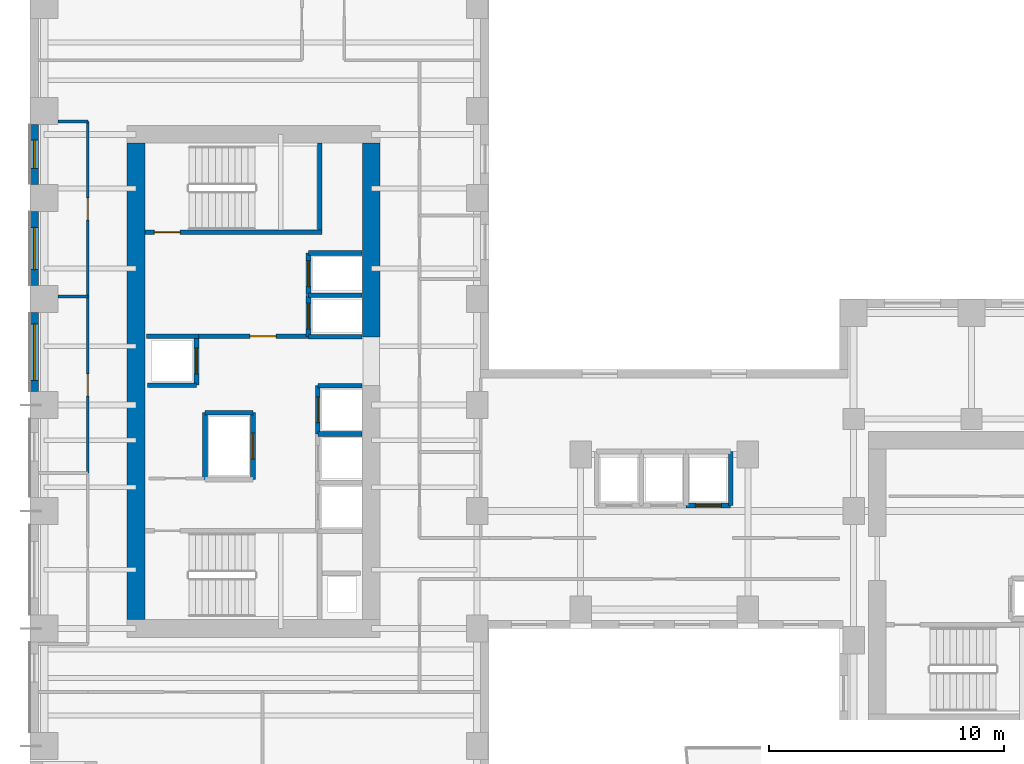
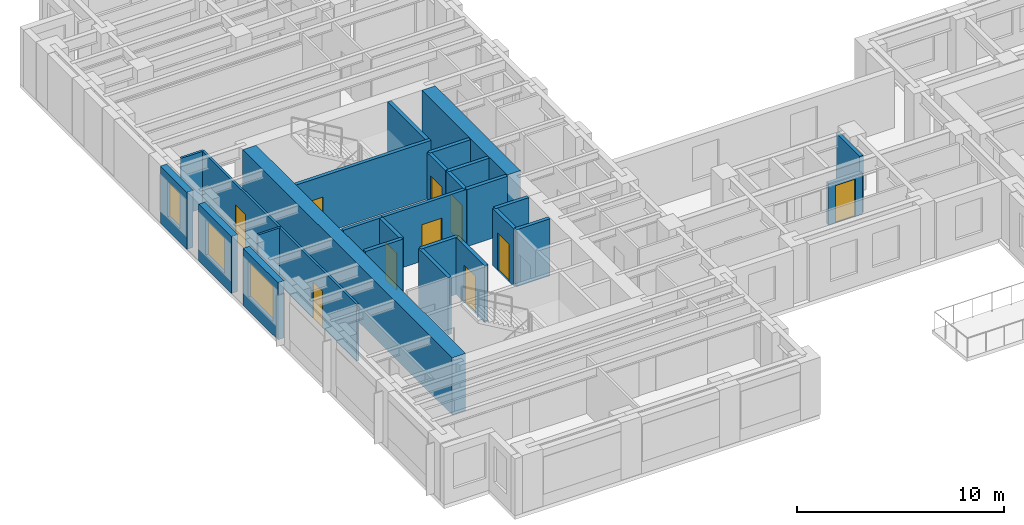
# One storey, part 5 of 12: 28 walls, 10 doors, 3 windows, 13 openings.
"""IFC4 building model written with IfcOpenShell, lengths in metres."""

from ifc_helpers import new_model, si_unit, direction, frame, frame_2d, origin, place, context, subcontext, project, spatial, rectangle, extrude, source, transform, mapped, material, layer, layer_set, type_object, element, fill, save


model = new_model("IFC4")

# Units and contexts
model_context = context("Model", 3, precision=1e-05, world=origin(), true_north=direction((0.0, 1.0)))
body_context = subcontext(model_context, "Body", "Model", "MODEL_VIEW")
ifc_project = project(units=[si_unit("LENGTHUNIT", "METRE"), si_unit("AREAUNIT", "SQUARE_METRE"), si_unit("VOLUMEUNIT", "CUBIC_METRE"), si_unit("PLANEANGLEUNIT", "RADIAN"), si_unit("MASSUNIT", "GRAM", prefix="KILO")], contexts=[model_context])

# Site, building, storey
site_placement = place(None, origin())
site = spatial("IfcSite", under=ifc_project, at=site_placement, CompositionType="ELEMENT")
building_placement = place(site_placement, origin())
building = spatial("IfcBuilding", under=site, at=building_placement, Name="Kharzan Plaza Tower", CompositionType="ELEMENT")
storey_placement = place(building_placement, frame((0.0, 0.0, 91.800048828125)))
storey = spatial("IfcBuildingStorey", under=building, at=storey_placement, Name="L24", CompositionType="ELEMENT", Elevation=91.800048828125)

# Wall, opening, window
ifc_material_1 = material(Name="Concrete C40/50", Category="concrete")
ifc_layer_1 = layer(ifc_material_1, 0.35009765625)
ifc_layer_set_1 = layer_set([ifc_layer_1], Name="Concrete C40/50")
wall_type_1 = type_object("IfcWallType", Name="WL-EXT-MAS-Z2", PredefinedType="SOLIDWALL", material=ifc_layer_set_1)
wall_1_placement = place(storey_placement, frame((0.175048828125, 29.927001953125, 0.0), z_axis=(0.0, 0.0, 1.0), x_axis=(0.0, -1.0, 0.0)))
wall_1 = element("IfcWall", 1, at=wall_1_placement, inside=storey, type_object=wall_type_1, Name="L24 Masonry-Frame Exterior Wall 20", PredefinedType="SOLIDWALL", context=body_context, shape_type="SweptSolid", body=[
    extrude(rectangle(XDim=2.553955078125, YDim=0.35009765625, at=frame_2d((1.27685546875, 0.0))), origin(), (0.0, 0.0, 1.0), 3.364990234375),
])
opening_1_placement = place(wall_1_placement, frame((0.677001953125, 0.0, 0.780029296875)))
opening_1 = element("IfcOpeningElement", 2, at=opening_1_placement, cuts=wall_1, Name="Opening W3", PredefinedType="OPENING", context=body_context, shape_type="SweptSolid", body=[
    extrude(rectangle(XDim=1.199951171875, YDim=2.10009765625, at=frame_2d((0.60009765625, 1.050048828125))), frame((0.0, 0.18505859375, 0.0), z_axis=(0.0, -1.0, 0.0), x_axis=(1.0, 0.0, 0.0)), (0.0, 0.0, 1.0), 0.3701171875),
])
ifc_material_2 = material(Name="Low-E Double Glazing", Category="glass")
window_type_1 = type_object("IfcWindowType", Name="WN-REC-1200x2100", PartitioningType="SINGLE_PANEL", PredefinedType="WINDOW", material=ifc_material_2)
shared_shape_1 = source(origin(), body_context, "Body", "SweptSolid", [
    extrude(rectangle(XDim=1.199951171875, YDim=2.10009765625, at=frame_2d((0.60009765625, 1.050048828125))), frame((0.0, 0.030029296875, 0.0), z_axis=(0.0, -1.0, 0.0), x_axis=(1.0, 0.0, 0.0)), (0.0, 0.0, 1.0), 0.06005859375),
])
window_1_placement = place(opening_1_placement, origin())
window_1 = element("IfcWindow", 3, at=window_1_placement, inside=storey, type_object=window_type_1, Name="L24 Recessed Solar-Control Window 20-1", OverallHeight=2.10009765625, OverallWidth=1.199951171875, PartitioningType="SINGLE_PANEL", PredefinedType="WINDOW", context=body_context, shape_type="MappedRepresentation", body=[
    mapped(shared_shape_1, transform((0.0, 0.0, 0.0), x_axis=(1.0, 0.0, 0.0), y_axis=(0.0, 1.0, 0.0), z_axis=(0.0, 0.0, 1.0))),
])
fill(opening_1, window_1)

wall_2_placement = place(storey_placement, frame((0.175048828125, 26.22705078125, 0.0), z_axis=(0.0, 0.0, 1.0), x_axis=(0.0, -1.0, 0.0)))
wall_2 = element("IfcWall", 4, at=wall_2_placement, inside=storey, type_object=wall_type_1, Name="L24 Masonry-Frame Exterior Wall 21", PredefinedType="SOLIDWALL", context=body_context, shape_type="SweptSolid", body=[
    extrude(rectangle(XDim=3.154052734375, YDim=0.35009765625, at=frame_2d((1.5771484375, 0.0))), origin(), (0.0, 0.0, 1.0), 3.364990234375),
])
opening_2_placement = place(wall_2_placement, frame((0.677001953125, 0.0, 0.780029296875)))
opening_2 = element("IfcOpeningElement", 5, at=opening_2_placement, cuts=wall_2, Name="Opening W1", PredefinedType="OPENING", context=body_context, shape_type="SweptSolid", body=[
    extrude(rectangle(XDim=1.800048828125, YDim=2.10009765625, at=frame_2d((0.89990234375, 1.050048828125))), frame((0.0, 0.18505859375, 0.0), z_axis=(0.0, -1.0, 0.0), x_axis=(1.0, 0.0, 0.0)), (0.0, 0.0, 1.0), 0.3701171875),
])
window_type_2 = type_object("IfcWindowType", Name="WN-REC-1800x2100", PartitioningType="SINGLE_PANEL", PredefinedType="WINDOW", material=ifc_material_2)
shared_shape_2 = source(origin(), body_context, "Body", "SweptSolid", [
    extrude(rectangle(XDim=1.800048828125, YDim=2.10009765625, at=frame_2d((0.89990234375, 1.050048828125))), frame((0.0, 0.030029296875, 0.0), z_axis=(0.0, -1.0, 0.0), x_axis=(1.0, 0.0, 0.0)), (0.0, 0.0, 1.0), 0.06005859375),
])
window_2_placement = place(opening_2_placement, origin())
window_2 = element("IfcWindow", 6, at=window_2_placement, inside=storey, type_object=window_type_2, Name="L24 Recessed Solar-Control Window 21-1", OverallHeight=2.10009765625, OverallWidth=1.800048828125, PartitioningType="SINGLE_PANEL", PredefinedType="WINDOW", context=body_context, shape_type="MappedRepresentation", body=[
    mapped(shared_shape_2, transform((0.0, 0.0, 0.0), x_axis=(1.0, 0.0, 0.0), y_axis=(0.0, 1.0, 0.0), z_axis=(0.0, 0.0, 1.0))),
])
fill(opening_2, window_2)

wall_3_placement = place(storey_placement, frame((0.175048828125, 21.927001953125, 0.0), z_axis=(0.0, 0.0, 1.0), x_axis=(0.0, -1.0, 0.0)))
wall_3 = element("IfcWall", 7, at=wall_3_placement, inside=storey, type_object=wall_type_1, Name="L24 Masonry-Frame Exterior Wall 22", PredefinedType="SOLIDWALL", context=body_context, shape_type="SweptSolid", body=[
    extrude(rectangle(XDim=3.35400390625, YDim=0.35009765625, at=frame_2d((1.677001953125, 0.0))), origin(), (0.0, 0.0, 1.0), 3.364990234375),
])
opening_3_placement = place(wall_3_placement, frame((0.47705078125, 0.0, 0.780029296875)))
opening_3 = element("IfcOpeningElement", 8, at=opening_3_placement, cuts=wall_3, Name="Opening W2", PredefinedType="OPENING", context=body_context, shape_type="SweptSolid", body=[
    extrude(rectangle(XDim=2.39990234375, YDim=2.10009765625, at=frame_2d((1.199951171875, 1.050048828125))), frame((0.0, 0.18505859375, 0.0), z_axis=(0.0, -1.0, 0.0), x_axis=(1.0, 0.0, 0.0)), (0.0, 0.0, 1.0), 0.3701171875),
])
window_type_3 = type_object("IfcWindowType", Name="WN-REC-2400x2100", PartitioningType="SINGLE_PANEL", PredefinedType="WINDOW", material=ifc_material_2)
shared_shape_3 = source(origin(), body_context, "Body", "SweptSolid", [
    extrude(rectangle(XDim=2.39990234375, YDim=2.10009765625, at=frame_2d((1.199951171875, 1.050048828125))), frame((0.0, 0.030029296875, 0.0), z_axis=(0.0, -1.0, 0.0), x_axis=(1.0, 0.0, 0.0)), (0.0, 0.0, 1.0), 0.06005859375),
])
window_3_placement = place(opening_3_placement, origin())
window_3 = element("IfcWindow", 9, at=window_3_placement, inside=storey, type_object=window_type_3, Name="L24 Wide Recessed Solar-Control Window 22-1", OverallHeight=2.10009765625, OverallWidth=2.39990234375, PartitioningType="SINGLE_PANEL", PredefinedType="WINDOW", context=body_context, shape_type="MappedRepresentation", body=[
    mapped(shared_shape_3, transform((0.0, 0.0, 0.0), x_axis=(1.0, 0.0, 0.0), y_axis=(0.0, 1.0, 0.0), z_axis=(0.0, 0.0, 1.0))),
])
fill(opening_3, window_3)

# Wall, opening, door
ifc_layer_2 = layer(ifc_material_1, 0.179931640625)
ifc_layer_set_2 = layer_set([ifc_layer_2], Name="Concrete C40/50")
wall_type_2 = type_object("IfcWallType", Name="WL-INT-FIRE-180", PredefinedType="PARTITIONING", material=ifc_layer_set_2)
wall_4_placement = place(storey_placement, frame((7.14990234375, 20.919921875, 0.0), z_axis=(0.0, 0.0, 1.0), x_axis=(1.0, 0.0, 0.0)))
wall_4 = element("IfcWall", 10, at=wall_4_placement, inside=storey, type_object=wall_type_2, Name="L24 Interior Partition CA-FF-S", PredefinedType="PARTITIONING", context=body_context, shape_type="SweptSolid", body=[
    extrude(rectangle(XDim=4.68017578125, YDim=0.179931640625, at=frame_2d((2.340087890625, 0.0))), origin(), (0.0, 0.0, 1.0), 3.364990234375),
])
opening_4_placement = place(wall_4_placement, frame((2.199951171875, 0.0, 0.0)))
opening_4 = element("IfcOpeningElement", 11, at=opening_4_placement, cuts=wall_4, Name="Opening FD1", PredefinedType="OPENING", context=body_context, shape_type="SweptSolid", body=[
    extrude(rectangle(XDim=1.10009765625, YDim=2.14990234375, at=frame_2d((0.550048828125, 1.074951171875))), frame((0.0, 0.099853515625, 0.0), z_axis=(0.0, -1.0, 0.0), x_axis=(1.0, 0.0, 0.0)), (0.0, 0.0, 1.0), 0.199951171875),
])
ifc_material_3 = material(Name="Fire-Rated Acoustic Vision-Panel Steel", Category="steel")
door_type_1 = type_object("IfcDoorType", Name="DR-FIRE-LOBBY", OperationType="NOTDEFINED", PredefinedType="DOOR", material=ifc_material_3)
shared_shape_4 = source(origin(), body_context, "Body", "SweptSolid", [
    extrude(rectangle(XDim=1.10009765625, YDim=2.14990234375, at=frame_2d((0.550048828125, 1.074951171875))), frame((0.0, 0.02490234375, 0.0), z_axis=(0.0, -1.0, 0.0), x_axis=(1.0, 0.0, 0.0)), (0.0, 0.0, 1.0), 0.050048828125),
])
door_1_placement = place(opening_4_placement, origin())
door_1 = element("IfcDoor", 12, at=door_1_placement, inside=storey, type_object=door_type_1, Name="L24 Firefighting Lobby Door", OperationType="SINGLE_SWING_LEFT", OverallHeight=2.14990234375, OverallWidth=1.10009765625, PredefinedType="DOOR", context=body_context, shape_type="MappedRepresentation", body=[
    mapped(shared_shape_4, transform((0.0, 0.0, 0.0), x_axis=(1.0, 0.0, 0.0), y_axis=(0.0, 1.0, 0.0), z_axis=(0.0, 0.0, 1.0))),
])
fill(opening_4, door_1)

ifc_material_4 = material(Name="Fire-Rated Gypsum Board Partition", Category="gypsum")
ifc_layer_3 = layer(ifc_material_4, 0.125)
ifc_layer_set_3 = layer_set([ifc_layer_3], Name="Fire-Rated Gypsum Board Partition")
wall_type_3 = type_object("IfcWallType", Name="WL-INT-PART-125", PredefinedType="PARTITIONING", material=ifc_layer_set_3)
wall_5_placement = place(storey_placement, frame((2.449951171875, 15.10009765625, 0.0), z_axis=(0.0, 0.0, 1.0), x_axis=(0.0, 1.0, 0.0)))
wall_5 = element("IfcWall", 13, at=wall_5_placement, inside=storey, type_object=wall_type_3, Name="L24 Interior Partition SH-WW-2", PredefinedType="PARTITIONING", context=body_context, shape_type="SweptSolid", body=[
    extrude(rectangle(XDim=7.5, YDim=0.125, at=frame_2d((3.75, 0.0))), origin(), (0.0, 0.0, 1.0), 3.364990234375),
])
opening_5_placement = place(wall_5_placement, frame((3.27490234375, 0.0, 0.0)))
opening_5 = element("IfcOpeningElement", 14, at=opening_5_placement, cuts=wall_5, Name="Opening OD1", PredefinedType="OPENING", context=body_context, shape_type="SweptSolid", body=[
    extrude(rectangle(XDim=0.949951171875, YDim=2.14990234375, at=frame_2d((0.47509765625, 1.074951171875))), frame((0.0, 0.072509765625, 0.0), z_axis=(0.0, -1.0, 0.0), x_axis=(1.0, 0.0, 0.0)), (0.0, 0.0, 1.0), 0.14501953125),
])
ifc_material_5 = material(Name="Acoustic Solid-Core Stained Oak", Category="timber")
door_type_2 = type_object("IfcDoorType", Name="DR-OFF-SINGLE", OperationType="NOTDEFINED", PredefinedType="DOOR", material=ifc_material_5)
shared_shape_5 = source(origin(), body_context, "Body", "SweptSolid", [
    extrude(rectangle(XDim=0.949951171875, YDim=2.14990234375, at=frame_2d((0.47509765625, 1.074951171875))), frame((0.0, 0.02490234375, 0.0), z_axis=(0.0, -1.0, 0.0), x_axis=(1.0, 0.0, 0.0)), (0.0, 0.0, 1.0), 0.050048828125),
])
door_2_placement = place(opening_5_placement, origin())
door_2 = element("IfcDoor", 15, at=door_2_placement, inside=storey, type_object=door_type_2, Name="L24 Operations Control Office Door", OperationType="SINGLE_SWING_RIGHT", OverallHeight=2.14990234375, OverallWidth=0.949951171875, PredefinedType="DOOR", context=body_context, shape_type="MappedRepresentation", body=[
    mapped(shared_shape_5, transform((0.0, 0.0, 0.0), x_axis=(1.0, 0.0, 0.0), y_axis=(0.0, 1.0, 0.0), z_axis=(0.0, 0.0, 1.0))),
])
fill(opening_5, door_2)

wall_6_placement = place(storey_placement, frame((2.449951171875, 22.60009765625, 0.0), z_axis=(0.0, 0.0, 1.0), x_axis=(0.0, 1.0, 0.0)))
wall_6 = element("IfcWall", 16, at=wall_6_placement, inside=storey, type_object=wall_type_3, Name="L24 Interior Partition SH-WW-3", PredefinedType="PARTITIONING", context=body_context, shape_type="SweptSolid", body=[
    extrude(rectangle(XDim=7.449951171875, YDim=0.125, at=frame_2d((3.72509765625, 0.0))), origin(), (0.0, 0.0, 1.0), 3.364990234375),
])
opening_6_placement = place(wall_6_placement, frame((3.25, 0.0, 0.0)))
opening_6 = element("IfcOpeningElement", 17, at=opening_6_placement, cuts=wall_6, Name="Opening OD1", PredefinedType="OPENING", context=body_context, shape_type="SweptSolid", body=[
    extrude(rectangle(XDim=0.949951171875, YDim=2.14990234375, at=frame_2d((0.47509765625, 1.074951171875))), frame((0.0, 0.072509765625, 0.0), z_axis=(0.0, -1.0, 0.0), x_axis=(1.0, 0.0, 0.0)), (0.0, 0.0, 1.0), 0.14501953125),
])
door_3_placement = place(opening_6_placement, origin())
door_3 = element("IfcDoor", 18, at=door_3_placement, inside=storey, type_object=door_type_2, Name="L24 HSE Management Office Door", OperationType="SINGLE_SWING_LEFT", OverallHeight=2.14990234375, OverallWidth=0.949951171875, PredefinedType="DOOR", context=body_context, shape_type="MappedRepresentation", body=[
    mapped(shared_shape_5, transform((0.0, 0.0, 0.0), x_axis=(1.0, 0.0, 0.0), y_axis=(0.0, 1.0, 0.0), z_axis=(0.0, 0.0, 1.0))),
])
fill(opening_6, door_3)

ifc_layer_4 = layer(ifc_material_1, 0.199951171875)
ifc_layer_set_4 = layer_set([ifc_layer_4], Name="Concrete C40/50")
wall_type_4 = type_object("IfcWallType", Name="WL-INT-SHAFT-200", PredefinedType="PARTITIONING", material=ifc_layer_set_4)
wall_7_placement = place(storey_placement, frame((11.830078125, 20.89990234375, 0.0), z_axis=(0.0, 0.0, 1.0), x_axis=(0.0, 1.0, 0.0)))
wall_7 = element("IfcWall", 19, at=wall_7_placement, inside=storey, type_object=wall_type_4, Name="L24 Interior Partition SHF-FFL-1-W", PredefinedType="PARTITIONING", context=body_context, shape_type="SweptSolid", body=[
    extrude(rectangle(XDim=1.760009765625, YDim=0.199951171875, at=frame_2d((0.8798828125, 0.0))), origin(), (0.0, 0.0, 1.0), 3.364990234375),
])
opening_7_placement = place(wall_7_placement, frame((0.330078125, 0.0, 0.0)))
opening_7 = element("IfcOpeningElement", 20, at=opening_7_placement, cuts=wall_7, Name="Opening LD", PredefinedType="OPENING", context=body_context, shape_type="SweptSolid", body=[
    extrude(rectangle(XDim=1.10009765625, YDim=2.199951171875, at=frame_2d((0.550048828125, 1.10009765625))), frame((0.0, 0.10986328125, 0.0), z_axis=(0.0, -1.0, 0.0), x_axis=(1.0, 0.0, 0.0)), (0.0, 0.0, 1.0), 0.219970703125),
])
ifc_material_6 = material(Name="Brushed Stainless Steel", Category="steel")
door_type_3 = type_object("IfcDoorType", Name="DR-LIFT-SLIDE", OperationType="SLIDING_TO_LEFT", PredefinedType="DOOR", material=ifc_material_6)
shared_shape_6 = source(origin(), body_context, "Body", "SweptSolid", [
    extrude(rectangle(XDim=1.10009765625, YDim=2.199951171875, at=frame_2d((0.550048828125, 1.10009765625))), frame((0.0, 0.02490234375, 0.0), z_axis=(0.0, -1.0, 0.0), x_axis=(1.0, 0.0, 0.0)), (0.0, 0.0, 1.0), 0.050048828125),
])
door_4_placement = place(opening_7_placement, origin())
door_4 = element("IfcDoor", 21, at=door_4_placement, inside=storey, type_object=door_type_3, Name="L24 Firefighting Lift FFL-1 Sliding Landing Door", OperationType="SLIDING_TO_LEFT", OverallHeight=2.199951171875, OverallWidth=1.10009765625, PredefinedType="DOOR", context=body_context, shape_type="MappedRepresentation", body=[
    mapped(shared_shape_6, transform((0.0, 0.0, 0.0), x_axis=(1.0, 0.0, 0.0), y_axis=(0.0, 1.0, 0.0), z_axis=(0.0, 0.0, 1.0))),
])
fill(opening_7, door_4)

wall_8_placement = place(storey_placement, frame((11.830078125, 22.699951171875, 0.0), z_axis=(0.0, 0.0, 1.0), x_axis=(0.0, 1.0, 0.0)))
wall_8 = element("IfcWall", 22, at=wall_8_placement, inside=storey, type_object=wall_type_4, Name="L24 Interior Partition SHF-FFL-2-W", PredefinedType="PARTITIONING", context=body_context, shape_type="SweptSolid", body=[
    extrude(rectangle(XDim=1.760009765625, YDim=0.199951171875, at=frame_2d((0.8798828125, 0.0))), origin(), (0.0, 0.0, 1.0), 3.364990234375),
])
opening_8_placement = place(wall_8_placement, frame((0.330078125, 0.0, 0.0)))
opening_8 = element("IfcOpeningElement", 23, at=opening_8_placement, cuts=wall_8, Name="Opening LD", PredefinedType="OPENING", context=body_context, shape_type="SweptSolid", body=[
    extrude(rectangle(XDim=1.10009765625, YDim=2.199951171875, at=frame_2d((0.550048828125, 1.10009765625))), frame((0.0, 0.10986328125, 0.0), z_axis=(0.0, -1.0, 0.0), x_axis=(1.0, 0.0, 0.0)), (0.0, 0.0, 1.0), 0.219970703125),
])
door_5_placement = place(opening_8_placement, origin())
door_5 = element("IfcDoor", 24, at=door_5_placement, inside=storey, type_object=door_type_3, Name="L24 Firefighting Lift FFL-2 Sliding Landing Door", OperationType="SLIDING_TO_LEFT", OverallHeight=2.199951171875, OverallWidth=1.10009765625, PredefinedType="DOOR", context=body_context, shape_type="MappedRepresentation", body=[
    mapped(shared_shape_6, transform((0.0, 0.0, 0.0), x_axis=(1.0, 0.0, 0.0), y_axis=(0.0, 1.0, 0.0), z_axis=(0.0, 0.0, 1.0))),
])
fill(opening_8, door_5)

wall_9_placement = place(storey_placement, frame((12.22998046875, 16.77001953125, 0.0), z_axis=(0.0, 0.0, 1.0), x_axis=(0.0, 1.0, 0.0)))
wall_9 = element("IfcWall", 25, at=wall_9_placement, inside=storey, type_object=wall_type_4, Name="L24 Interior Partition SHF-PL-H3-W", PredefinedType="PARTITIONING", context=body_context, shape_type="SweptSolid", body=[
    extrude(rectangle(XDim=2.050048828125, YDim=0.199951171875, at=frame_2d((1.02490234375, 0.0))), origin(), (0.0, 0.0, 1.0), 3.364990234375),
])
opening_9_placement = place(wall_9_placement, frame((0.47509765625, 0.0, 0.0)))
opening_9 = element("IfcOpeningElement", 26, at=opening_9_placement, cuts=wall_9, Name="Opening LD", PredefinedType="OPENING", context=body_context, shape_type="SweptSolid", body=[
    extrude(rectangle(XDim=1.10009765625, YDim=2.199951171875, at=frame_2d((0.550048828125, 1.10009765625))), frame((0.0, 0.10986328125, 0.0), z_axis=(0.0, -1.0, 0.0), x_axis=(1.0, 0.0, 0.0)), (0.0, 0.0, 1.0), 0.219970703125),
])
door_6_placement = place(opening_9_placement, origin())
door_6 = element("IfcDoor", 27, at=door_6_placement, inside=storey, type_object=door_type_3, Name="L24 High-Rise Passenger Lift PL-H3 Sliding Landing Door", OperationType="SLIDING_TO_LEFT", OverallHeight=2.199951171875, OverallWidth=1.10009765625, PredefinedType="DOOR", context=body_context, shape_type="MappedRepresentation", body=[
    mapped(shared_shape_6, transform((0.0, 0.0, 0.0), x_axis=(1.0, 0.0, 0.0), y_axis=(0.0, 1.0, 0.0), z_axis=(0.0, 0.0, 1.0))),
])
fill(opening_9, door_6)

wall_10_placement = place(storey_placement, frame((7.070068359375, 18.840087890625, 0.0), z_axis=(0.0, 0.0, 1.0), x_axis=(0.0, 1.0, 0.0)))
wall_10 = element("IfcWall", 28, at=wall_10_placement, inside=storey, type_object=wall_type_4, Name="L24 Interior Partition SHF-PL-H4-E", PredefinedType="PARTITIONING", context=body_context, shape_type="SweptSolid", body=[
    extrude(rectangle(XDim=2.059814453125, YDim=0.199951171875, at=frame_2d((1.02978515625, 0.0))), origin(), (0.0, 0.0, 1.0), 3.364990234375),
])
opening_10_placement = place(wall_10_placement, frame((0.47998046875, 0.0, 0.0)))
opening_10 = element("IfcOpeningElement", 29, at=opening_10_placement, cuts=wall_10, Name="Opening LD", PredefinedType="OPENING", context=body_context, shape_type="SweptSolid", body=[
    extrude(rectangle(XDim=1.10009765625, YDim=2.199951171875, at=frame_2d((0.550048828125, 1.10009765625))), frame((0.0, 0.10986328125, 0.0), z_axis=(0.0, -1.0, 0.0), x_axis=(1.0, 0.0, 0.0)), (0.0, 0.0, 1.0), 0.219970703125),
])
door_7_placement = place(opening_10_placement, origin())
door_7 = element("IfcDoor", 30, at=door_7_placement, inside=storey, type_object=door_type_3, Name="L24 High-Rise Passenger Lift PL-H4 Sliding Landing Door", OperationType="SLIDING_TO_LEFT", OverallHeight=2.199951171875, OverallWidth=1.10009765625, PredefinedType="DOOR", context=body_context, shape_type="MappedRepresentation", body=[
    mapped(shared_shape_6, transform((0.0, 0.0, 0.0), x_axis=(1.0, 0.0, 0.0), y_axis=(0.0, 1.0, 0.0), z_axis=(0.0, 0.0, 1.0))),
])
fill(opening_10, door_7)

wall_11_placement = place(storey_placement, frame((27.8798828125, 13.72998046875, 0.0), z_axis=(0.0, 0.0, 1.0), x_axis=(1.0, 0.0, 0.0)))
wall_11 = element("IfcWall", 31, at=wall_11_placement, inside=storey, type_object=wall_type_4, Name="L24 Interior Partition SHF-PL-M3-S", PredefinedType="PARTITIONING", context=body_context, shape_type="SweptSolid", body=[
    extrude(rectangle(XDim=1.89013671875, YDim=0.199951171875, at=frame_2d((0.945068359375, 0.0))), origin(), (0.0, 0.0, 1.0), 2.446044921875),
])
opening_11_placement = place(wall_11_placement, frame((0.39501953125, 0.0, 0.0)))
opening_11 = element("IfcOpeningElement", 32, at=opening_11_placement, cuts=wall_11, Name="Opening LD", PredefinedType="OPENING", context=body_context, shape_type="SweptSolid", body=[
    extrude(rectangle(XDim=1.10009765625, YDim=2.199951171875, at=frame_2d((0.550048828125, 1.10009765625))), frame((0.0, 0.10986328125, 0.0), z_axis=(0.0, -1.0, 0.0), x_axis=(1.0, 0.0, 0.0)), (0.0, 0.0, 1.0), 0.219970703125),
])
door_8_placement = place(opening_11_placement, origin())
door_8 = element("IfcDoor", 33, at=door_8_placement, inside=storey, type_object=door_type_3, Name="L24 Mid-Rise Passenger Lift PL-M3 Sliding Landing Door", OperationType="SLIDING_TO_LEFT", OverallHeight=2.199951171875, OverallWidth=1.10009765625, PredefinedType="DOOR", context=body_context, shape_type="MappedRepresentation", body=[
    mapped(shared_shape_6, transform((0.0, 0.0, 0.0), x_axis=(1.0, 0.0, 0.0), y_axis=(0.0, 1.0, 0.0), z_axis=(0.0, 0.0, 1.0))),
])
fill(opening_11, door_8)

wall_12_placement = place(storey_placement, frame((9.469970703125, 14.830078125, 0.0), z_axis=(0.0, 0.0, 1.0), x_axis=(0.0, 1.0, 0.0)))
wall_12 = element("IfcWall", 34, at=wall_12_placement, inside=storey, type_object=wall_type_4, Name="L24 Interior Partition SHF-SVL-1-E", PredefinedType="PARTITIONING", context=body_context, shape_type="SweptSolid", body=[
    extrude(rectangle(XDim=2.83984375, YDim=0.199951171875, at=frame_2d((1.419921875, 0.0))), origin(), (0.0, 0.0, 1.0), 3.364990234375),
])
opening_12_placement = place(wall_12_placement, frame((0.8701171875, 0.0, 0.0)))
opening_12 = element("IfcOpeningElement", 35, at=opening_12_placement, cuts=wall_12, Name="Opening LD", PredefinedType="OPENING", context=body_context, shape_type="SweptSolid", body=[
    extrude(rectangle(XDim=1.10009765625, YDim=2.199951171875, at=frame_2d((0.550048828125, 1.10009765625))), frame((0.0, 0.10986328125, 0.0), z_axis=(0.0, -1.0, 0.0), x_axis=(1.0, 0.0, 0.0)), (0.0, 0.0, 1.0), 0.219970703125),
])
door_9_placement = place(opening_12_placement, origin())
door_9 = element("IfcDoor", 36, at=door_9_placement, inside=storey, type_object=door_type_3, Name="L24 Service Lift SVL-1 Sliding Landing Door", OperationType="SLIDING_TO_LEFT", OverallHeight=2.199951171875, OverallWidth=1.10009765625, PredefinedType="DOOR", context=body_context, shape_type="MappedRepresentation", body=[
    mapped(shared_shape_6, transform((0.0, 0.0, 0.0), x_axis=(1.0, 0.0, 0.0), y_axis=(0.0, 1.0, 0.0), z_axis=(0.0, 0.0, 1.0))),
])
fill(opening_12, door_9)

ifc_material_7 = material(Name="Concrete C50/60", Category="concrete")
ifc_layer_5 = layer(ifc_material_7, 0.199951171875)
ifc_layer_set_5 = layer_set([ifc_layer_5], Name="Concrete C50/60")
wall_type_5 = type_object("IfcWallType", Name="WL-SHAFT-RC200", PredefinedType="SHEAR", material=ifc_layer_set_5)
wall_13_placement = place(storey_placement, frame((4.876953125, 25.344970703125, 0.0), z_axis=(0.0, 0.0, 1.0), x_axis=(1.0, 0.0, 0.0)))
wall_13 = element("IfcWall", 37, at=wall_13_placement, inside=storey, type_object=wall_type_5, Name="L24 Stair ST-2 South RC Shaft Wall", PredefinedType="SHEAR", context=body_context, shape_type="SweptSolid", body=[
    extrude(rectangle(XDim=7.528076171875, YDim=0.199951171875, at=frame_2d((3.76416015625, 0.0))), origin(), (0.0, 0.0, 1.0), 3.3798828125),
])
opening_13_placement = place(wall_13_placement, frame((0.39990234375, 0.0, 0.0)))
opening_13 = element("IfcOpeningElement", 38, at=opening_13_placement, cuts=wall_13, Name="Opening SD1", PredefinedType="OPENING", context=body_context, shape_type="SweptSolid", body=[
    extrude(rectangle(XDim=1.10009765625, YDim=2.14990234375, at=frame_2d((0.550048828125, 1.074951171875))), frame((0.0, 0.10986328125, 0.0), z_axis=(0.0, -1.0, 0.0), x_axis=(1.0, 0.0, 0.0)), (0.0, 0.0, 1.0), 0.219970703125),
])
ifc_material_8 = material(Name="Fire-Rated Hollow Galvanized Steel", Category="steel")
door_type_4 = type_object("IfcDoorType", Name="DR-STAIR-FD120", OperationType="NOTDEFINED", PredefinedType="DOOR", material=ifc_material_8)
shared_shape_7 = source(origin(), body_context, "Body", "SweptSolid", [
    extrude(rectangle(XDim=1.10009765625, YDim=2.14990234375, at=frame_2d((0.550048828125, 1.074951171875))), frame((0.0, 0.02490234375, 0.0), z_axis=(0.0, -1.0, 0.0), x_axis=(1.0, 0.0, 0.0)), (0.0, 0.0, 1.0), 0.050048828125),
])
door_10_placement = place(opening_13_placement, origin())
door_10 = element("IfcDoor", 39, at=door_10_placement, inside=storey, type_object=door_type_4, Name="L24 Stair ST-2 Fire Exit Door", OperationType="SINGLE_SWING_RIGHT", OverallHeight=2.14990234375, OverallWidth=1.10009765625, PredefinedType="DOOR", context=body_context, shape_type="MappedRepresentation", body=[
    mapped(shared_shape_7, transform((0.0, 0.0, 0.0), x_axis=(1.0, 0.0, 0.0), y_axis=(0.0, 1.0, 0.0), z_axis=(0.0, 0.0, 1.0))),
])
fill(opening_13, door_10)

# Walls
shared_shape_8 = source(origin(), body_context, "Body", "SweptSolid", [
    extrude(rectangle(XDim=2.090087890625, YDim=0.199951171875, at=frame_2d((1.044921875, 0.0))), origin(), (0.0, 0.0, 1.0), 3.364990234375),
])
wall_14_placement = place(storey_placement, frame((4.97998046875, 18.840087890625, 0.0), z_axis=(0.0, 0.0, 1.0), x_axis=(1.0, 0.0, 0.0)))
element("IfcWall", 40, at=wall_14_placement, inside=storey, type_object=wall_type_4, Name="L24 Interior Partition SHF-PL-H4-S", PredefinedType="PARTITIONING", context=body_context, shape_type="MappedRepresentation", body=[
    mapped(shared_shape_8, transform((0.0, 0.0, 0.0), x_axis=(1.0, 0.0, 0.0), y_axis=(0.0, 1.0, 0.0), z_axis=(0.0, 0.0, 1.0))),
])
shared_shape_9 = source(origin(), body_context, "Body", "SweptSolid", [
    extrude(rectangle(XDim=2.2900390625, YDim=0.199951171875, at=frame_2d((1.14501953125, 0.0))), origin(), (0.0, 0.0, 1.0), 3.364990234375),
])
wall_15_placement = place(storey_placement, frame((29.77001953125, 13.72998046875, 0.0), z_axis=(0.0, 0.0, 1.0), x_axis=(0.0, 1.0, 0.0)))
element("IfcWall", 41, at=wall_15_placement, inside=storey, type_object=wall_type_4, Name="L24 Interior Partition SHF-PL-M3-E", PredefinedType="PARTITIONING", context=body_context, shape_type="MappedRepresentation", body=[
    mapped(shared_shape_9, transform((0.0, 0.0, 0.0), x_axis=(1.0, 0.0, 0.0), y_axis=(0.0, 1.0, 0.0), z_axis=(0.0, 0.0, 1.0))),
])
shared_shape_10 = source(origin(), body_context, "Body", "SweptSolid", [
    extrude(rectangle(XDim=2.0400390625, YDim=0.199951171875, at=frame_2d((1.02001953125, 0.0))), origin(), (0.0, 0.0, 1.0), 3.364990234375),
])
wall_16_placement = place(storey_placement, frame((7.429931640625, 17.669921875, 0.0), z_axis=(0.0, 0.0, 1.0), x_axis=(1.0, 0.0, 0.0)))
element("IfcWall", 42, at=wall_16_placement, inside=storey, type_object=wall_type_4, Name="L24 Interior Partition SHF-SVL-1-N", PredefinedType="PARTITIONING", context=body_context, shape_type="MappedRepresentation", body=[
    mapped(shared_shape_10, transform((0.0, 0.0, 0.0), x_axis=(1.0, 0.0, 0.0), y_axis=(0.0, 1.0, 0.0), z_axis=(0.0, 0.0, 1.0))),
])
shared_shape_11 = source(origin(), body_context, "Body", "SweptSolid", [
    extrude(rectangle(XDim=2.83984375, YDim=0.199951171875, at=frame_2d((1.419921875, 0.0))), origin(), (0.0, 0.0, 1.0), 3.364990234375),
])
wall_17_placement = place(storey_placement, frame((7.429931640625, 14.830078125, 0.0), z_axis=(0.0, 0.0, 1.0), x_axis=(0.0, 1.0, 0.0)))
element("IfcWall", 43, at=wall_17_placement, inside=storey, type_object=wall_type_4, Name="L24 Interior Partition SHF-SVL-1-W", PredefinedType="PARTITIONING", context=body_context, shape_type="MappedRepresentation", body=[
    mapped(shared_shape_11, transform((0.0, 0.0, 0.0), x_axis=(1.0, 0.0, 0.0), y_axis=(0.0, 1.0, 0.0), z_axis=(0.0, 0.0, 1.0))),
])
shared_shape_12 = source(origin(), body_context, "Body", "SweptSolid", [
    extrude(rectangle(XDim=2.199951171875, YDim=0.179931640625, at=frame_2d((1.10009765625, 0.0))), origin(), (0.0, 0.0, 1.0), 3.364990234375),
])
wall_18_placement = place(storey_placement, frame((4.949951171875, 20.919921875, 0.0), z_axis=(0.0, 0.0, 1.0), x_axis=(1.0, 0.0, 0.0)))
element("IfcWall", 44, at=wall_18_placement, inside=storey, type_object=wall_type_2, Name="L24 Interior Partition CA-FF-SW", PredefinedType="PARTITIONING", context=body_context, shape_type="MappedRepresentation", body=[
    mapped(shared_shape_12, transform((0.0, 0.0, 0.0), x_axis=(1.0, 0.0, 0.0), y_axis=(0.0, 1.0, 0.0), z_axis=(0.0, 0.0, 1.0))),
])
shared_shape_13 = source(origin(), body_context, "Body", "SweptSolid", [
    extrude(rectangle(XDim=1.260009765625, YDim=0.125, at=frame_2d((0.6298828125, 0.0))), origin(), (0.0, 0.0, 1.0), 3.364990234375),
])
for number, where, z_axis, x_axis, name in (
    (45, (1.18994140625, 30.050048828125, 0.0), (0.0, 0.0, 1.0), (1.0, 0.0, 0.0), "L24 Interior Partition SH-RWN0"),
    (46, (1.18994140625, 22.60009765625, 0.0), (0.0, 0.0, 1.0), (1.0, 0.0, 0.0), "L24 Interior Partition SH-WH-2"),
):
    element("IfcWall", number, at=place(storey_placement, frame(where, z_axis=z_axis, x_axis=x_axis)), inside=storey, type_object=wall_type_3, Name=name, PredefinedType="PARTITIONING", context=body_context, shape_type="MappedRepresentation", body=[
        mapped(shared_shape_13, transform((0.0, 0.0, 0.0), x_axis=(1.0, 0.0, 0.0), y_axis=(0.0, 1.0, 0.0), z_axis=(0.0, 0.0, 1.0))),
    ])
shared_shape_14 = source(origin(), body_context, "Body", "SweptSolid", [
    extrude(rectangle(XDim=2.264892578125, YDim=0.199951171875, at=frame_2d((1.13232421875, 0.0))), origin(), (0.0, 0.0, 1.0), 3.364990234375),
])
for number, where, z_axis, x_axis, name in (
    (47, (11.830078125, 22.659912109375, 0.0), (0.0, 0.0, 1.0), (1.0, 0.0, 0.0), "L24 Interior Partition SHF-FFL-1-N"),
    (48, (11.830078125, 20.89990234375, 0.0), (0.0, 0.0, 1.0), (1.0, 0.0, 0.0), "L24 Interior Partition SHF-FFL-1-S"),
    (49, (11.830078125, 24.4599609375, 0.0), (0.0, 0.0, 1.0), (1.0, 0.0, 0.0), "L24 Interior Partition SHF-FFL-2-N"),
):
    element("IfcWall", number, at=place(storey_placement, frame(where, z_axis=z_axis, x_axis=x_axis)), inside=storey, type_object=wall_type_4, Name=name, PredefinedType="PARTITIONING", context=body_context, shape_type="MappedRepresentation", body=[
        mapped(shared_shape_14, transform((0.0, 0.0, 0.0), x_axis=(1.0, 0.0, 0.0), y_axis=(0.0, 1.0, 0.0), z_axis=(0.0, 0.0, 1.0))),
    ])
shared_shape_15 = source(origin(), body_context, "Body", "SweptSolid", [
    extrude(rectangle(XDim=1.864990234375, YDim=0.199951171875, at=frame_2d((0.9326171875, 0.0))), origin(), (0.0, 0.0, 1.0), 3.364990234375),
])
for number, where, z_axis, x_axis, name in (
    (50, (12.22998046875, 16.77001953125, 0.0), (0.0, 0.0, 1.0), (1.0, 0.0, 0.0), "L24 Interior Partition SHF-PL-H2-N"),
    (51, (12.22998046875, 18.820068359375, 0.0), (0.0, 0.0, 1.0), (1.0, 0.0, 0.0), "L24 Interior Partition SHF-PL-H3-N"),
):
    element("IfcWall", number, at=place(storey_placement, frame(where, z_axis=z_axis, x_axis=x_axis)), inside=storey, type_object=wall_type_4, Name=name, PredefinedType="PARTITIONING", context=body_context, shape_type="MappedRepresentation", body=[
        mapped(shared_shape_15, transform((0.0, 0.0, 0.0), x_axis=(1.0, 0.0, 0.0), y_axis=(0.0, 1.0, 0.0), z_axis=(0.0, 0.0, 1.0))),
    ])
ifc_material_9 = material(Name="Concrete C60/75", Category="concrete")
ifc_layer_6 = layer(ifc_material_9, 0.75)
ifc_layer_set_6 = layer_set([ifc_layer_6], Name="Concrete C60/75")
wall_type_6 = type_object("IfcWallType", Name="WL-CORE-750", PredefinedType="SHEAR", material=ifc_layer_set_6)
shared_shape_16 = source(origin(), body_context, "Body", "SweptSolid", [
    extrude(rectangle(XDim=8.2451171875, YDim=0.75, at=frame_2d((4.12255859375, 0.0))), origin(), (0.0, 0.0, 1.0), 3.3798828125),
])
wall_19_placement = place(storey_placement, frame((14.5, 20.8798828125, 0.0), z_axis=(0.0, 0.0, 1.0), x_axis=(0.0, 1.0, 0.0)))
element("IfcWall", 52, at=wall_19_placement, inside=storey, type_object=wall_type_6, Name="L24 CORE-A east shear pier 2", PredefinedType="SHEAR", context=body_context, shape_type="MappedRepresentation", body=[
    mapped(shared_shape_16, transform((0.0, 0.0, 0.0), x_axis=(1.0, 0.0, 0.0), y_axis=(0.0, 1.0, 0.0), z_axis=(0.0, 0.0, 1.0))),
])
shared_shape_17 = source(origin(), body_context, "Body", "SweptSolid", [
    extrude(rectangle(XDim=20.25, YDim=0.75, at=frame_2d((10.125, 0.0))), origin(), (0.0, 0.0, 1.0), 3.3798828125),
])
wall_20_placement = place(storey_placement, frame((4.5, 8.875, 0.0), z_axis=(0.0, 0.0, 1.0), x_axis=(0.0, 1.0, 0.0)))
element("IfcWall", 53, at=wall_20_placement, inside=storey, type_object=wall_type_6, Name="L24 CORE-A west RC shear wall", PredefinedType="SHEAR", context=body_context, shape_type="MappedRepresentation", body=[
    mapped(shared_shape_17, transform((0.0, 0.0, 0.0), x_axis=(1.0, 0.0, 0.0), y_axis=(0.0, 1.0, 0.0), z_axis=(0.0, 0.0, 1.0))),
])
shared_shape_18 = source(origin(), body_context, "Body", "SweptSolid", [
    extrude(rectangle(XDim=3.677978515625, YDim=0.199951171875, at=frame_2d((1.8388671875, 0.0))), origin(), (0.0, 0.0, 1.0), 3.3798828125),
])
wall_21_placement = place(storey_placement, frame((12.304931640625, 25.445068359375, 0.0), z_axis=(0.0, 0.0, 1.0), x_axis=(0.0, 1.0, 0.0)))
element("IfcWall", 54, at=wall_21_placement, inside=storey, type_object=wall_type_5, Name="L24 Stair ST-2 East RC Shaft Wall", PredefinedType="SHEAR", context=body_context, shape_type="MappedRepresentation", body=[
    mapped(shared_shape_18, transform((0.0, 0.0, 0.0), x_axis=(1.0, 0.0, 0.0), y_axis=(0.0, 1.0, 0.0), z_axis=(0.0, 0.0, 1.0))),
])

save(model, "model.ifc")
